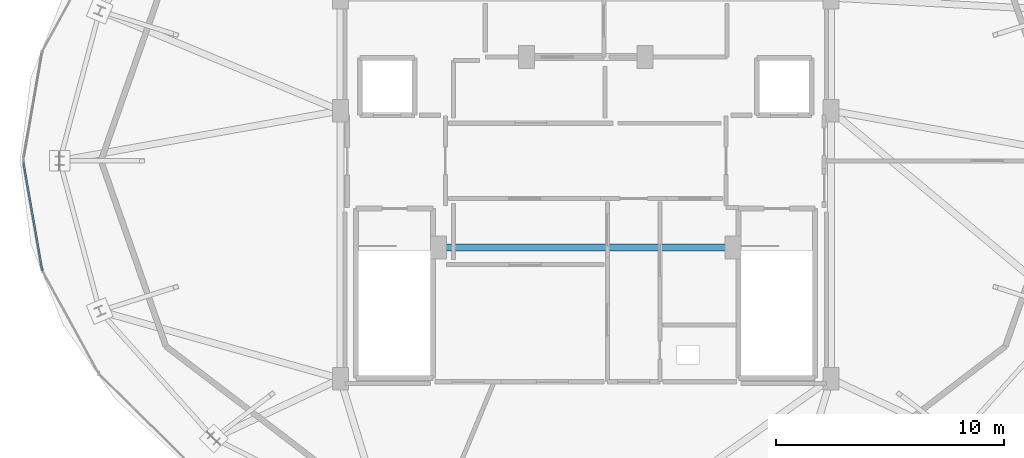
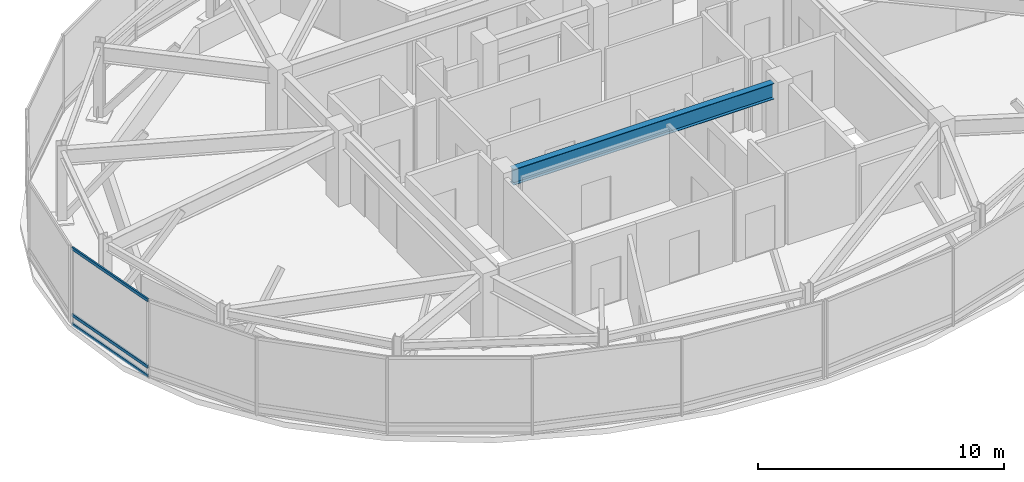
# One storey, part 8 of 28: 3 members, 1 beam, 1 element without a shape of its own.
"""IFC4 building model written with IfcOpenShell, lengths in metres."""

from ifc_helpers import new_model, si_unit, direction, frame, origin, origin_2d, place, context, subcontext, project, spatial, hollow_rectangle, i_section, extrude, material, material_profile, profile_set, type_object, element, aggregate, save


model = new_model("IFC4")

# Units and contexts
model_context = context("Model", 3, precision=1e-05, world=origin(), true_north=direction((0.0, 1.0)))
body_context = subcontext(model_context, "Body", "Model", "MODEL_VIEW")
ifc_project = project(units=[si_unit("LENGTHUNIT", "METRE"), si_unit("AREAUNIT", "SQUARE_METRE"), si_unit("VOLUMEUNIT", "CUBIC_METRE"), si_unit("PLANEANGLEUNIT", "RADIAN"), si_unit("MASSUNIT", "GRAM", prefix="KILO")], contexts=[model_context])

# Site, building, storey
site_placement = place(None, origin())
site = spatial("IfcSite", under=ifc_project, at=site_placement, CompositionType="ELEMENT")
building_placement = place(site_placement, origin())
building = spatial("IfcBuilding", under=site, at=building_placement, Name="Vorneva Point Tower", CompositionType="ELEMENT")
storey_placement = place(building_placement, frame((0.0, 0.0, 295.39990234375)))
storey = spatial("IfcBuildingStorey", under=building, at=storey_placement, Name="C01", CompositionType="ELEMENT", Elevation=295.39990234375)

# Beam
ifc_material_1 = material(Name="Steel S355", Category="steel")
ifc_material_profile_1 = material_profile(ifc_material_1, i_section(OverallWidth=0.300048828125, OverallDepth=0.7880859375, WebThickness=0.014404296875, FlangeThickness=0.02197265625, at=origin_2d()), Name="80Sh1")
ifc_profile_set_1 = profile_set([ifc_material_profile_1], Name="Steel S355")
beam_type = type_object("IfcBeamType", Name="BM-GRD-80Sh1", PredefinedType="USERDEFINED", material=ifc_profile_set_1)
beam_placement = place(storey_placement, frame((31.8701171875, 22.199951171875, 3.156005859375), z_axis=(1.0, 0.0, 0.0), x_axis=(0.0, 1.0, 0.0)))
element("IfcBeam", 1, at=beam_placement, inside=storey, type_object=beam_type, Name="C01 Core Tie Girder CT7", ObjectType="GIRDER", PredefinedType="USERDEFINED", context=body_context, shape_type="SweptSolid", body=[
    extrude(i_section(OverallWidth=0.300048828125, OverallDepth=0.7880859375, WebThickness=0.014404296875, FlangeThickness=0.02197265625, at=origin_2d()), origin(), (0.0, 0.0, 1.0), 12.259765625),
])

# Curtain wall, members
ifc_material_2 = material(Name="Pale anodised aluminium", Category="aluminium")
curtain_wall_type = type_object("IfcCurtainWallType", Name="CW-CRN-SYS", PredefinedType="NOTDEFINED", material=ifc_material_2)
curtain_wall_placement = place(storey_placement, origin())
curtain_wall = element("IfcCurtainWall", 2, at=curtain_wall_placement, inside=storey, type_object=curtain_wall_type, Name="C01 Unitised Curtain Wall CW-C01-Q3", PredefinedType="NOTDEFINED")
ifc_material_profile_2 = material_profile(ifc_material_2, hollow_rectangle(XDim=0.074951171875, YDim=0.14990234375, WallThickness=0.00390625, at=origin_2d()), Name="AL-TRN 150x75x4")
ifc_profile_set_2 = profile_set([ifc_material_profile_2], Name="Pale anodised aluminium")
member_type = type_object("IfcMemberType", Name="CW-TRN-150", PredefinedType="USERDEFINED", material=ifc_profile_set_2)
member_1_placement = place(storey_placement, frame((13.36376953125, 25.921142578125, 0.02001953125), z_axis=(0.171512286427, -0.985181980958, 0.0), x_axis=(0.985181980958, 0.171512286427, 0.0)))
member_1 = element("IfcMember", 3, at=member_1_placement, type_object=member_type, Name="CW-C01-Q3 Transom 01.1", ObjectType="TRANSOM", PredefinedType="USERDEFINED", context=body_context, shape_type="SweptSolid", body=[
    extrude(hollow_rectangle(XDim=0.074951171875, YDim=0.14990234375, WallThickness=0.00390625, at=origin_2d()), origin(), (0.0, 0.0, 1.0), 4.81689453125),
])
member_2_placement = place(storey_placement, frame((13.36376953125, 25.921142578125, 0.47998046875), z_axis=(0.171512286427, -0.985181980958, 0.0), x_axis=(0.985181980958, 0.171512286427, 0.0)))
member_2 = element("IfcMember", 4, at=member_2_placement, type_object=member_type, Name="CW-C01-Q3 Transom 01.2", ObjectType="TRANSOM", PredefinedType="USERDEFINED", context=body_context, shape_type="SweptSolid", body=[
    extrude(hollow_rectangle(XDim=0.074951171875, YDim=0.14990234375, WallThickness=0.00390625, at=origin_2d()), origin(), (0.0, 0.0, 1.0), 4.81689453125),
])
member_3_placement = place(storey_placement, frame((13.36376953125, 25.921142578125, 3.780029296875), z_axis=(0.171512286427, -0.985181980958, 0.0), x_axis=(0.985181980958, 0.171512286427, 0.0)))
member_3 = element("IfcMember", 5, at=member_3_placement, type_object=member_type, Name="CW-C01-Q3 Transom 01.3", ObjectType="TRANSOM", PredefinedType="USERDEFINED", context=body_context, shape_type="SweptSolid", body=[
    extrude(hollow_rectangle(XDim=0.074951171875, YDim=0.14990234375, WallThickness=0.00390625, at=origin_2d()), origin(), (0.0, 0.0, 1.0), 4.81689453125),
])
aggregate(curtain_wall, [member_1, member_2, member_3])

save(model, "model.ifc")
